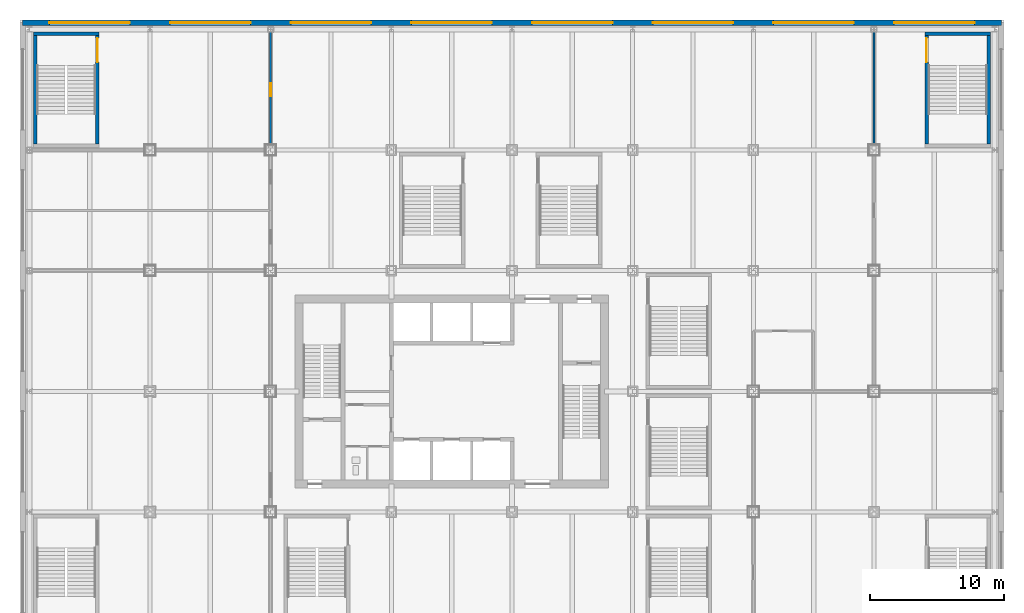
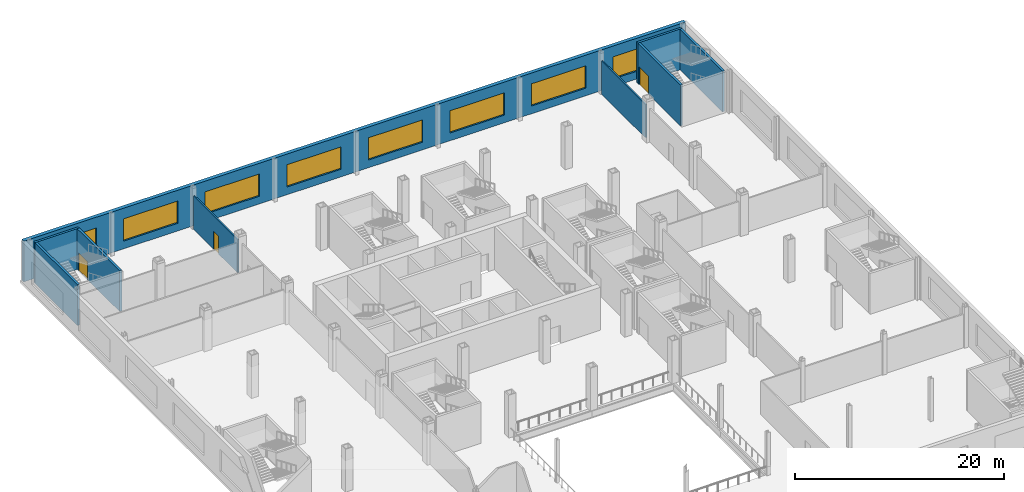
# One storey, part 15 of 28: 9 walls, 8 windows, 3 doors, 11 openings.
"""IFC4 building model written with IfcOpenShell, lengths in metres."""

from ifc_helpers import new_model, si_unit, direction, frame, frame_2d, origin, place, context, subcontext, project, spatial, rectangle, extrude, material, layer, layer_set, type_object, element, fill, save


model = new_model("IFC4")

# Units and contexts
model_context = context("Model", 3, precision=1e-05, world=origin(), true_north=direction((0.0, 1.0)))
body_context = subcontext(model_context, "Body", "Model", "MODEL_VIEW")
ifc_project = project(units=[si_unit("LENGTHUNIT", "METRE"), si_unit("AREAUNIT", "SQUARE_METRE"), si_unit("VOLUMEUNIT", "CUBIC_METRE"), si_unit("PLANEANGLEUNIT", "RADIAN"), si_unit("MASSUNIT", "GRAM", prefix="KILO")], contexts=[model_context])

# Site, building, storey
site_placement = place(None, origin())
site = spatial("IfcSite", under=ifc_project, at=site_placement, CompositionType="ELEMENT")
building_placement = place(site_placement, origin())
building = spatial("IfcBuilding", under=site, at=building_placement, Name="Loomwork Tower", CompositionType="ELEMENT")
storey_placement = place(building_placement, frame((0.0, 0.0, 6.0)))
storey = spatial("IfcBuildingStorey", under=building, at=storey_placement, Name="L01", CompositionType="ELEMENT", Elevation=6.0)

# Wall, opening, door
ifc_material_1 = material(Name="Gypsum board on steel studs, one-hour", Category="steel")
ifc_layer_1 = layer(ifc_material_1, 0.14990234375)
ifc_layer_set_1 = layer_set([ifc_layer_1], Name="Partition 150")
wall_type_1 = type_object("IfcWallType", Name="Partition 150", PredefinedType="PARTITIONING", material=ifc_layer_set_1)
wall_1_placement = place(storey_placement, frame((9.0, 44.81201171875, 0.0), z_axis=(0.0, 0.0, 1.0), x_axis=(0.0, -1.0, 0.0)))
wall_1 = element("IfcWall", 1, at=wall_1_placement, inside=storey, type_object=wall_type_1, Name="Partition L01 9.1", PredefinedType="PARTITIONING", context=body_context, shape_type="SweptSolid", body=[
    extrude(rectangle(XDim=8.412109375, YDim=0.14990234375, at=frame_2d((4.2060546875, 0.0))), origin(), (0.0, 0.0, 1.0), 3.8916015625),
])
opening_1_placement = place(wall_1_placement, frame((3.81201171875, 0.0, 0.0)))
opening_1 = element("IfcOpeningElement", 2, at=opening_1_placement, cuts=wall_1, Name="Opening D15", PredefinedType="OPENING", context=body_context, shape_type="SweptSolid", body=[
    extrude(rectangle(XDim=1.0, YDim=2.10009765625, at=frame_2d((0.5, 1.050048828125))), frame((0.0, 0.0849609375, 0.0), z_axis=(0.0, -1.0, 0.0), x_axis=(1.0, 0.0, 0.0)), (0.0, 0.0, 1.0), 0.169921875),
])
ifc_material_2 = material(Name="Hollow metal door and frame")
door_type_1 = type_object("IfcDoorType", Name="Fire-rated room door 1000", OperationType="SINGLE_SWING_LEFT", PredefinedType="DOOR", material=ifc_material_2)
door_1_placement = place(opening_1_placement, frame((1.0, 0.0, 0.0), z_axis=(0.0, 0.0, 1.0), x_axis=(-1.0, 0.0, 0.0)))
door_1 = element("IfcDoor", 3, at=door_1_placement, inside=storey, type_object=door_type_1, Name="Retail store door", OperationType="SINGLE_SWING_LEFT", OverallHeight=2.10009765625, OverallWidth=1.0, PredefinedType="DOOR", context=body_context, shape_type="SweptSolid", body=[
    extrude(rectangle(XDim=1.0, YDim=2.10009765625, at=frame_2d((0.5, 1.050048828125))), frame((0.0, 0.02490234375, 0.0), z_axis=(0.0, -1.0, 0.0), x_axis=(1.0, 0.0, 0.0)), (0.0, 0.0, 1.0), 0.050048828125),
])
fill(opening_1, door_1)

# Wall
wall_2_placement = place(storey_placement, frame((54.0, 36.39990234375, 0.0), z_axis=(0.0, 0.0, 1.0), x_axis=(0.0, 1.0, 0.0)))
element("IfcWall", 4, at=wall_2_placement, inside=storey, type_object=wall_type_1, Name="Partition L01 21.3", PredefinedType="PARTITIONING", context=body_context, shape_type="SweptSolid", body=[
    extrude(rectangle(XDim=8.412109375, YDim=0.14990234375, at=frame_2d((4.2060546875, 0.0))), origin(), (0.0, 0.0, 1.0), 3.8916015625),
])

# Wall, openings, windows
ifc_material_3 = material(Name="Limestone on concrete masonry", Category="masonry")
ifc_layer_2 = layer(ifc_material_3, 0.39990234375)
ifc_layer_set_2 = layer_set([ifc_layer_2], Name="Podium limestone wall 400")
wall_type_2 = type_object("IfcWallType", Name="Podium limestone wall 400", PredefinedType="SOLIDWALL", material=ifc_layer_set_2)
wall_3_placement = place(storey_placement, frame((63.5, 45.5, 0.0), z_axis=(0.0, 0.0, 1.0), x_axis=(-1.0, 0.0, 0.0)))
wall_3 = element("IfcWall", 5, at=wall_3_placement, inside=storey, type_object=wall_type_2, Name="Podium stone wall N", PredefinedType="SOLIDWALL", context=body_context, shape_type="SweptSolid", body=[
    extrude(rectangle(XDim=73.0, YDim=0.39990234375, at=frame_2d((36.5, 0.0))), origin(), (0.0, 0.0, 1.0), 4.75),
])
opening_2_placement = place(wall_3_placement, frame((2.0, 0.0, 0.89990234375)))
opening_2 = element("IfcOpeningElement", 6, at=opening_2_placement, cuts=wall_3, Name="Opening CH3", PredefinedType="OPENING", context=body_context, shape_type="SweptSolid", body=[
    extrude(rectangle(XDim=6.0, YDim=2.60009765625, at=frame_2d((3.0, 1.300048828125))), frame((0.0, 0.2099609375, 0.0), z_axis=(0.0, -1.0, 0.0), x_axis=(1.0, 0.0, 0.0)), (0.0, 0.0, 1.0), 0.419921875),
])
opening_3_placement = place(wall_3_placement, frame((11.0, 0.0, 0.89990234375)))
opening_3 = element("IfcOpeningElement", 7, at=opening_3_placement, cuts=wall_3, Name="Opening CH3", PredefinedType="OPENING", context=body_context, shape_type="SweptSolid", body=[
    extrude(rectangle(XDim=6.0, YDim=2.60009765625, at=frame_2d((3.0, 1.300048828125))), frame((0.0, 0.2099609375, 0.0), z_axis=(0.0, -1.0, 0.0), x_axis=(1.0, 0.0, 0.0)), (0.0, 0.0, 1.0), 0.419921875),
])
opening_4_placement = place(wall_3_placement, frame((20.0, 0.0, 0.89990234375)))
opening_4 = element("IfcOpeningElement", 8, at=opening_4_placement, cuts=wall_3, Name="Opening CH3", PredefinedType="OPENING", context=body_context, shape_type="SweptSolid", body=[
    extrude(rectangle(XDim=6.0, YDim=2.60009765625, at=frame_2d((3.0, 1.300048828125))), frame((0.0, 0.2099609375, 0.0), z_axis=(0.0, -1.0, 0.0), x_axis=(1.0, 0.0, 0.0)), (0.0, 0.0, 1.0), 0.419921875),
])
opening_5_placement = place(wall_3_placement, frame((29.0, 0.0, 0.89990234375)))
opening_5 = element("IfcOpeningElement", 9, at=opening_5_placement, cuts=wall_3, Name="Opening CH3", PredefinedType="OPENING", context=body_context, shape_type="SweptSolid", body=[
    extrude(rectangle(XDim=6.0, YDim=2.60009765625, at=frame_2d((3.0, 1.300048828125))), frame((0.0, 0.2099609375, 0.0), z_axis=(0.0, -1.0, 0.0), x_axis=(1.0, 0.0, 0.0)), (0.0, 0.0, 1.0), 0.419921875),
])
opening_6_placement = place(wall_3_placement, frame((38.0, 0.0, 0.89990234375)))
opening_6 = element("IfcOpeningElement", 10, at=opening_6_placement, cuts=wall_3, Name="Opening CH3", PredefinedType="OPENING", context=body_context, shape_type="SweptSolid", body=[
    extrude(rectangle(XDim=6.0, YDim=2.60009765625, at=frame_2d((3.0, 1.300048828125))), frame((0.0, 0.2099609375, 0.0), z_axis=(0.0, -1.0, 0.0), x_axis=(1.0, 0.0, 0.0)), (0.0, 0.0, 1.0), 0.419921875),
])
opening_7_placement = place(wall_3_placement, frame((47.0, 0.0, 0.89990234375)))
opening_7 = element("IfcOpeningElement", 11, at=opening_7_placement, cuts=wall_3, Name="Opening CH3", PredefinedType="OPENING", context=body_context, shape_type="SweptSolid", body=[
    extrude(rectangle(XDim=6.0, YDim=2.60009765625, at=frame_2d((3.0, 1.300048828125))), frame((0.0, 0.2099609375, 0.0), z_axis=(0.0, -1.0, 0.0), x_axis=(1.0, 0.0, 0.0)), (0.0, 0.0, 1.0), 0.419921875),
])
opening_8_placement = place(wall_3_placement, frame((56.0, 0.0, 0.89990234375)))
opening_8 = element("IfcOpeningElement", 12, at=opening_8_placement, cuts=wall_3, Name="Opening CH3", PredefinedType="OPENING", context=body_context, shape_type="SweptSolid", body=[
    extrude(rectangle(XDim=6.0, YDim=2.60009765625, at=frame_2d((3.0, 1.300048828125))), frame((0.0, 0.2099609375, 0.0), z_axis=(0.0, -1.0, 0.0), x_axis=(1.0, 0.0, 0.0)), (0.0, 0.0, 1.0), 0.419921875),
])
opening_9_placement = place(wall_3_placement, frame((65.0, 0.0, 0.89990234375)))
opening_9 = element("IfcOpeningElement", 13, at=opening_9_placement, cuts=wall_3, Name="Opening CH3", PredefinedType="OPENING", context=body_context, shape_type="SweptSolid", body=[
    extrude(rectangle(XDim=6.0, YDim=2.60009765625, at=frame_2d((3.0, 1.300048828125))), frame((0.0, 0.2099609375, 0.0), z_axis=(0.0, -1.0, 0.0), x_axis=(1.0, 0.0, 0.0)), (0.0, 0.0, 1.0), 0.419921875),
])
ifc_material_4 = material(Name="Aluminium frame with clear insulated glass", Category="aluminium")
window_type = type_object("IfcWindowType", Name="Podium Chicago window 6000", PartitioningType="TRIPLE_PANEL_VERTICAL", PredefinedType="WINDOW", material=ifc_material_4)
window_1_placement = place(opening_2_placement, origin())
window_1 = element("IfcWindow", 14, at=window_1_placement, inside=storey, type_object=window_type, Name="Podium window N bay 1", OverallHeight=2.60009765625, OverallWidth=6.0, PartitioningType="TRIPLE_PANEL_VERTICAL", PredefinedType="WINDOW", context=body_context, shape_type="SweptSolid", body=[
    extrude(rectangle(XDim=6.0, YDim=2.60009765625, at=frame_2d((3.0, 1.300048828125))), frame((0.0, 0.030029296875, 0.0), z_axis=(0.0, -1.0, 0.0), x_axis=(1.0, 0.0, 0.0)), (0.0, 0.0, 1.0), 0.06005859375),
])
fill(opening_2, window_1)
window_2_placement = place(opening_3_placement, origin())
window_2 = element("IfcWindow", 15, at=window_2_placement, inside=storey, type_object=window_type, Name="Podium window N bay 2", OverallHeight=2.60009765625, OverallWidth=6.0, PartitioningType="TRIPLE_PANEL_VERTICAL", PredefinedType="WINDOW", context=body_context, shape_type="SweptSolid", body=[
    extrude(rectangle(XDim=6.0, YDim=2.60009765625, at=frame_2d((3.0, 1.300048828125))), frame((0.0, 0.030029296875, 0.0), z_axis=(0.0, -1.0, 0.0), x_axis=(1.0, 0.0, 0.0)), (0.0, 0.0, 1.0), 0.06005859375),
])
fill(opening_3, window_2)
window_3_placement = place(opening_4_placement, origin())
window_3 = element("IfcWindow", 16, at=window_3_placement, inside=storey, type_object=window_type, Name="Podium window N bay 3", OverallHeight=2.60009765625, OverallWidth=6.0, PartitioningType="TRIPLE_PANEL_VERTICAL", PredefinedType="WINDOW", context=body_context, shape_type="SweptSolid", body=[
    extrude(rectangle(XDim=6.0, YDim=2.60009765625, at=frame_2d((3.0, 1.300048828125))), frame((0.0, 0.030029296875, 0.0), z_axis=(0.0, -1.0, 0.0), x_axis=(1.0, 0.0, 0.0)), (0.0, 0.0, 1.0), 0.06005859375),
])
fill(opening_4, window_3)
window_4_placement = place(opening_5_placement, origin())
window_4 = element("IfcWindow", 17, at=window_4_placement, inside=storey, type_object=window_type, Name="Podium window N bay 4", OverallHeight=2.60009765625, OverallWidth=6.0, PartitioningType="TRIPLE_PANEL_VERTICAL", PredefinedType="WINDOW", context=body_context, shape_type="SweptSolid", body=[
    extrude(rectangle(XDim=6.0, YDim=2.60009765625, at=frame_2d((3.0, 1.300048828125))), frame((0.0, 0.030029296875, 0.0), z_axis=(0.0, -1.0, 0.0), x_axis=(1.0, 0.0, 0.0)), (0.0, 0.0, 1.0), 0.06005859375),
])
fill(opening_5, window_4)
window_5_placement = place(opening_6_placement, origin())
window_5 = element("IfcWindow", 18, at=window_5_placement, inside=storey, type_object=window_type, Name="Podium window N bay 5", OverallHeight=2.60009765625, OverallWidth=6.0, PartitioningType="TRIPLE_PANEL_VERTICAL", PredefinedType="WINDOW", context=body_context, shape_type="SweptSolid", body=[
    extrude(rectangle(XDim=6.0, YDim=2.60009765625, at=frame_2d((3.0, 1.300048828125))), frame((0.0, 0.030029296875, 0.0), z_axis=(0.0, -1.0, 0.0), x_axis=(1.0, 0.0, 0.0)), (0.0, 0.0, 1.0), 0.06005859375),
])
fill(opening_6, window_5)
window_6_placement = place(opening_7_placement, origin())
window_6 = element("IfcWindow", 19, at=window_6_placement, inside=storey, type_object=window_type, Name="Podium window N bay 6", OverallHeight=2.60009765625, OverallWidth=6.0, PartitioningType="TRIPLE_PANEL_VERTICAL", PredefinedType="WINDOW", context=body_context, shape_type="SweptSolid", body=[
    extrude(rectangle(XDim=6.0, YDim=2.60009765625, at=frame_2d((3.0, 1.300048828125))), frame((0.0, 0.030029296875, 0.0), z_axis=(0.0, -1.0, 0.0), x_axis=(1.0, 0.0, 0.0)), (0.0, 0.0, 1.0), 0.06005859375),
])
fill(opening_7, window_6)
window_7_placement = place(opening_8_placement, origin())
window_7 = element("IfcWindow", 20, at=window_7_placement, inside=storey, type_object=window_type, Name="Podium window N bay 7", OverallHeight=2.60009765625, OverallWidth=6.0, PartitioningType="TRIPLE_PANEL_VERTICAL", PredefinedType="WINDOW", context=body_context, shape_type="SweptSolid", body=[
    extrude(rectangle(XDim=6.0, YDim=2.60009765625, at=frame_2d((3.0, 1.300048828125))), frame((0.0, 0.030029296875, 0.0), z_axis=(0.0, -1.0, 0.0), x_axis=(1.0, 0.0, 0.0)), (0.0, 0.0, 1.0), 0.06005859375),
])
fill(opening_8, window_7)
window_8_placement = place(opening_9_placement, origin())
window_8 = element("IfcWindow", 21, at=window_8_placement, inside=storey, type_object=window_type, Name="Podium window N bay 8", OverallHeight=2.60009765625, OverallWidth=6.0, PartitioningType="TRIPLE_PANEL_VERTICAL", PredefinedType="WINDOW", context=body_context, shape_type="SweptSolid", body=[
    extrude(rectangle(XDim=6.0, YDim=2.60009765625, at=frame_2d((3.0, 1.300048828125))), frame((0.0, 0.030029296875, 0.0), z_axis=(0.0, -1.0, 0.0), x_axis=(1.0, 0.0, 0.0)), (0.0, 0.0, 1.0), 0.06005859375),
])
fill(opening_9, window_8)

# Walls
ifc_material_5 = material(Name="Concrete masonry, two-hour", Category="masonry")
ifc_layer_3 = layer(ifc_material_5, 0.25)
ifc_layer_set_3 = layer_set([ifc_layer_3], Name="Stair enclosure wall 250")
wall_type_3 = type_object("IfcWallType", Name="Stair enclosure wall 250", PredefinedType="SOLIDWALL", material=ifc_layer_set_3)
wall_4_placement = place(storey_placement, frame((-8.699951171875, 44.675048828125, 0.0), z_axis=(0.0, 0.0, 1.0), x_axis=(1.0, 0.0, 0.0)))
element("IfcWall", 22, at=wall_4_placement, inside=storey, type_object=wall_type_3, Name="Stair PS3 enclosure wall N L01", PredefinedType="SOLIDWALL", context=body_context, shape_type="SweptSolid", body=[
    extrude(rectangle(XDim=4.89990234375, YDim=0.25, at=frame_2d((2.449951171875, 0.0))), origin(), (0.0, 0.0, 1.0), 4.75),
])
wall_5_placement = place(storey_placement, frame((-8.574951171875, 36.449951171875, 0.0), z_axis=(0.0, 0.0, 1.0), x_axis=(0.0, 1.0, 0.0)))
element("IfcWall", 23, at=wall_5_placement, inside=storey, type_object=wall_type_3, Name="Stair PS3 enclosure wall W L01", PredefinedType="SOLIDWALL", context=body_context, shape_type="SweptSolid", body=[
    extrude(rectangle(XDim=8.10009765625, YDim=0.25, at=frame_2d((4.050048828125, 0.0))), origin(), (0.0, 0.0, 1.0), 4.75),
])

# Wall, opening, door
wall_6_placement = place(storey_placement, frame((-3.925048828125, 36.449951171875, 0.0), z_axis=(0.0, 0.0, 1.0), x_axis=(0.0, 1.0, 0.0)))
wall_6 = element("IfcWall", 24, at=wall_6_placement, inside=storey, type_object=wall_type_3, Name="Stair PS3 enclosure wall E L01", PredefinedType="SOLIDWALL", context=body_context, shape_type="SweptSolid", body=[
    extrude(rectangle(XDim=8.10009765625, YDim=0.25, at=frame_2d((4.050048828125, 0.0))), origin(), (0.0, 0.0, 1.0), 4.75),
])
opening_10_placement = place(wall_6_placement, frame((6.10009765625, 0.0, 0.0)))
opening_10 = element("IfcOpeningElement", 25, at=opening_10_placement, cuts=wall_6, Name="Opening D14", PredefinedType="OPENING", context=body_context, shape_type="SweptSolid", body=[
    extrude(rectangle(XDim=1.800048828125, YDim=2.10009765625, at=frame_2d((0.89990234375, 1.050048828125))), frame((0.0, 0.135009765625, 0.0), z_axis=(0.0, -1.0, 0.0), x_axis=(1.0, 0.0, 0.0)), (0.0, 0.0, 1.0), 0.27001953125),
])
ifc_material_6 = material(Name="Hollow metal door and frame")
door_type_2 = type_object("IfcDoorType", Name="Stair double door 1800", OperationType="DOUBLE_DOOR_SINGLE_SWING", PredefinedType="DOOR", material=ifc_material_6)
door_2_placement = place(opening_10_placement, origin())
door_2 = element("IfcDoor", 26, at=door_2_placement, inside=storey, type_object=door_type_2, Name="Stair PS3 door L01", OperationType="DOUBLE_DOOR_SINGLE_SWING", OverallHeight=2.10009765625, OverallWidth=1.800048828125, PredefinedType="DOOR", context=body_context, shape_type="SweptSolid", body=[
    extrude(rectangle(XDim=1.800048828125, YDim=2.10009765625, at=frame_2d((0.89990234375, 1.050048828125))), frame((0.0, 0.02490234375, 0.0), z_axis=(0.0, -1.0, 0.0), x_axis=(1.0, 0.0, 0.0)), (0.0, 0.0, 1.0), 0.050048828125),
])
fill(opening_10, door_2)

# Wall
wall_7_placement = place(storey_placement, frame((57.800048828125, 44.675048828125, 0.0), z_axis=(0.0, 0.0, 1.0), x_axis=(1.0, 0.0, 0.0)))
element("IfcWall", 27, at=wall_7_placement, inside=storey, type_object=wall_type_3, Name="Stair PS4 enclosure wall N L01", PredefinedType="SOLIDWALL", context=body_context, shape_type="SweptSolid", body=[
    extrude(rectangle(XDim=4.89990234375, YDim=0.25, at=frame_2d((2.449951171875, 0.0))), origin(), (0.0, 0.0, 1.0), 4.75),
])

# Wall, opening, door
wall_8_placement = place(storey_placement, frame((57.925048828125, 36.449951171875, 0.0), z_axis=(0.0, 0.0, 1.0), x_axis=(0.0, 1.0, 0.0)))
wall_8 = element("IfcWall", 28, at=wall_8_placement, inside=storey, type_object=wall_type_3, Name="Stair PS4 enclosure wall W L01", PredefinedType="SOLIDWALL", context=body_context, shape_type="SweptSolid", body=[
    extrude(rectangle(XDim=8.10009765625, YDim=0.25, at=frame_2d((4.050048828125, 0.0))), origin(), (0.0, 0.0, 1.0), 4.75),
])
opening_11_placement = place(wall_8_placement, frame((6.10009765625, 0.0, 0.0)))
opening_11 = element("IfcOpeningElement", 29, at=opening_11_placement, cuts=wall_8, Name="Opening D14", PredefinedType="OPENING", context=body_context, shape_type="SweptSolid", body=[
    extrude(rectangle(XDim=1.800048828125, YDim=2.10009765625, at=frame_2d((0.89990234375, 1.050048828125))), frame((0.0, 0.135009765625, 0.0), z_axis=(0.0, -1.0, 0.0), x_axis=(1.0, 0.0, 0.0)), (0.0, 0.0, 1.0), 0.27001953125),
])
door_3_placement = place(opening_11_placement, frame((1.800048828125, 0.0, 0.0), z_axis=(0.0, 0.0, 1.0), x_axis=(-1.0, 0.0, 0.0)))
door_3 = element("IfcDoor", 30, at=door_3_placement, inside=storey, type_object=door_type_2, Name="Stair PS4 door L01", OperationType="DOUBLE_DOOR_SINGLE_SWING", OverallHeight=2.10009765625, OverallWidth=1.800048828125, PredefinedType="DOOR", context=body_context, shape_type="SweptSolid", body=[
    extrude(rectangle(XDim=1.800048828125, YDim=2.10009765625, at=frame_2d((0.89990234375, 1.050048828125))), frame((0.0, 0.02490234375, 0.0), z_axis=(0.0, -1.0, 0.0), x_axis=(1.0, 0.0, 0.0)), (0.0, 0.0, 1.0), 0.050048828125),
])
fill(opening_11, door_3)

# Wall
wall_9_placement = place(storey_placement, frame((62.574951171875, 36.449951171875, 0.0), z_axis=(0.0, 0.0, 1.0), x_axis=(0.0, 1.0, 0.0)))
element("IfcWall", 31, at=wall_9_placement, inside=storey, type_object=wall_type_3, Name="Stair PS4 enclosure wall E L01", PredefinedType="SOLIDWALL", context=body_context, shape_type="SweptSolid", body=[
    extrude(rectangle(XDim=8.10009765625, YDim=0.25, at=frame_2d((4.050048828125, 0.0))), origin(), (0.0, 0.0, 1.0), 4.75),
])

save(model, "model.ifc")
